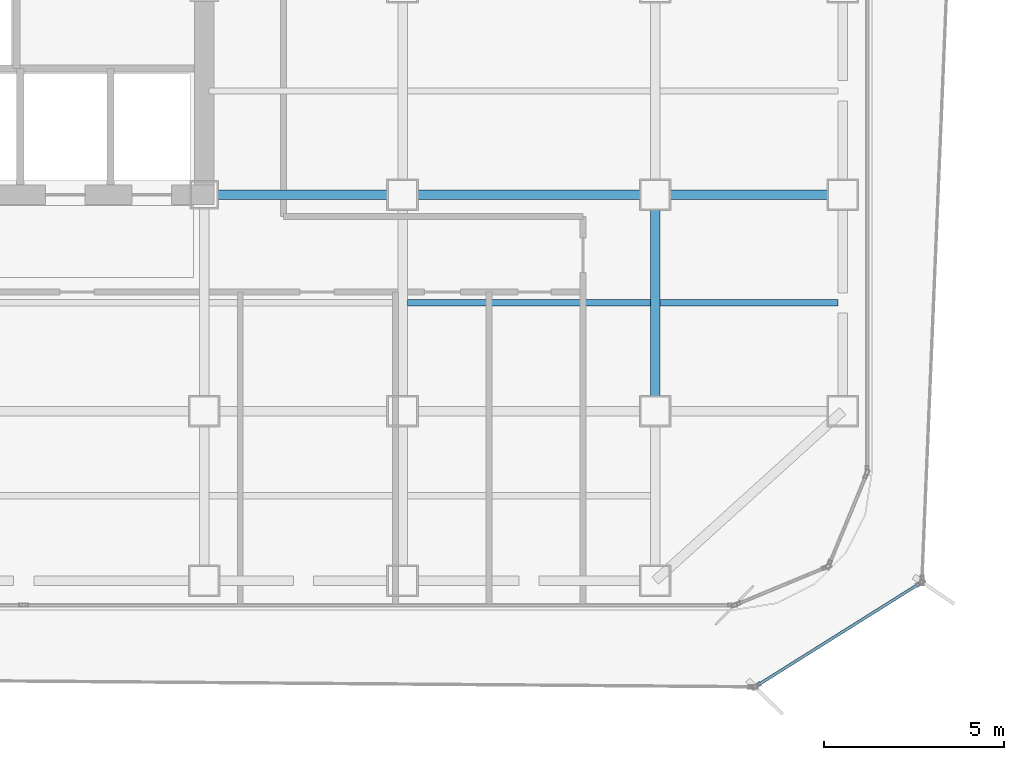
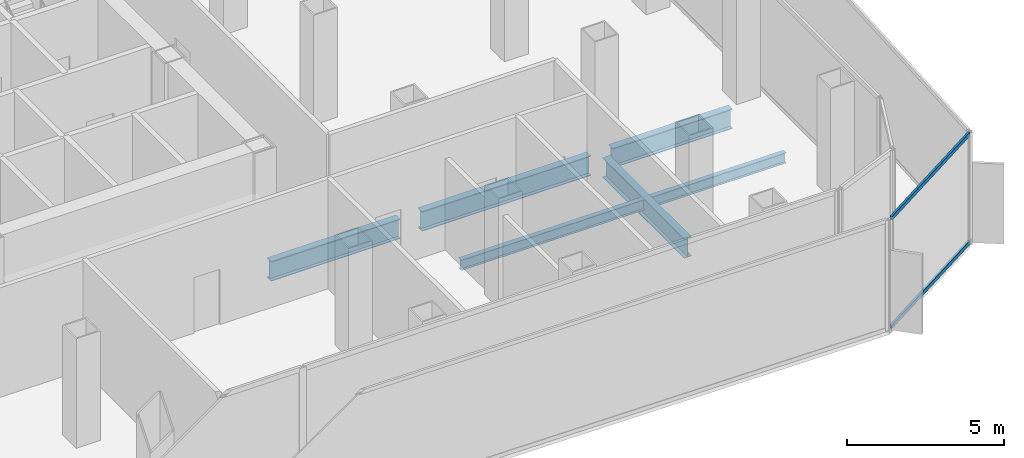
# One storey, part 7 of 21: 6 beams, 2 members, 1 element without a shape of its own.
"""IFC4 building model written with IfcOpenShell, lengths in metres."""

import ifcopenshell
import ifcopenshell.guid

model = None  # the IFC model being written
_history = None  # IfcOwnerHistory: only IFC2X3 demands one
_inside = {}  # id of a spatial element -> (the spatial element, [elements in it])
_under = {}  # id of a project, library or spatial element -> (it, [spatial elements below it])
_declared = {}  # id of a project -> (the project, [libraries it declares])
_typed = {}  # id of a type object -> (the type object, [elements of that type])
_made_of = {}  # id of a material, layer set ... -> (it, [elements and type objects made of it])


def new_model(schema):
    """Start an empty IFC model of exactly this schema.

    Asked for "IFC4X3", IfcOpenShell would pick the latest addendum, in which some entities
    have other attributes; the version numbers below select the first issue.
    IFC2X3 requires an IfcOwnerHistory on every rooted entity: one is made here for all.
    """
    global model, _history
    if schema == "IFC4X3":
        model = ifcopenshell.file(schema_version=(4, 3, 0, 0))
    else:
        model = ifcopenshell.file(schema=schema)
    _inside.clear()
    _under.clear()
    _declared.clear()
    _typed.clear()
    _made_of.clear()
    _history = None
    if model.schema == "IFC2X3":
        org = make("IfcOrganization", Name="unknown")
        user = make(
            "IfcPersonAndOrganization",
            ThePerson=make("IfcPerson", FamilyName="unknown"),
            TheOrganization=org,
        )
        app = make(
            "IfcApplication",
            ApplicationDeveloper=org,
            Version="unknown",
            ApplicationFullName="unknown",
            ApplicationIdentifier="unknown",
        )
        _history = make(
            "IfcOwnerHistory",
            OwningUser=user,
            OwningApplication=app,
            ChangeAction="ADDED",
            CreationDate=0,
        )
    return model


def make(cls, **values):
    """One entity of the class cls with the attributes given. An attribute that is None is left unset."""
    return model.create_entity(
        cls, **{name: value for name, value in values.items() if value is not None}
    )


def rooted(cls, **values):
    """An entity with a GlobalId (a new one), such as an element, a storey or a relation."""
    return make(cls, GlobalId=ifcopenshell.guid.new(), OwnerHistory=_history, **values)


def si_unit(unit_type, name, prefix=None):
    """IfcSIUnit, for example si_unit("LENGTHUNIT", "METRE", prefix="MILLI")."""
    return make("IfcSIUnit", UnitType=unit_type, Prefix=prefix, Name=name)


def assignment(units):
    """IfcUnitAssignment: the units of a project."""
    return None if units is None else make("IfcUnitAssignment", Units=units)


def point(xyz):
    """IfcCartesianPoint."""
    return None if xyz is None else make("IfcCartesianPoint", Coordinates=xyz)


def direction(xyz):
    """IfcDirection."""
    return None if xyz is None else make("IfcDirection", DirectionRatios=xyz)


def frame(location, z_axis=None, x_axis=None):
    """IfcAxis2Placement3D, a coordinate frame: its origin and axes. An axis left out is left unset."""
    return make(
        "IfcAxis2Placement3D",
        Location=point(location),
        Axis=direction(z_axis),
        RefDirection=direction(x_axis),
    )


def frame_2d(location, x_axis=None):
    """IfcAxis2Placement2D, a coordinate frame in the plane: its origin and x axis."""
    return make(
        "IfcAxis2Placement2D", Location=point(location), RefDirection=direction(x_axis)
    )


def origin():
    """The frame at (0, 0, 0) with its axes left unset."""
    return frame((0.0, 0.0, 0.0))


def origin_2d():
    """The frame at (0, 0) in the plane with its x axis left unset."""
    return frame_2d((0.0, 0.0))


def place(relative_to, where):
    """IfcLocalPlacement: puts the frame where relative to a parent placement (None: the world)."""
    return make(
        "IfcLocalPlacement", PlacementRelTo=relative_to, RelativePlacement=where
    )


def context(
    kind, dimensions, precision=None, world=None, true_north=None, identifier=None
):
    """IfcGeometricRepresentationContext, for example the 3D "Model" context."""
    return make(
        "IfcGeometricRepresentationContext",
        ContextIdentifier=identifier,
        ContextType=kind,
        CoordinateSpaceDimension=dimensions,
        Precision=precision,
        WorldCoordinateSystem=world,
        TrueNorth=true_north,
    )


def subcontext(parent, identifier, kind, view, scale=None):
    """IfcGeometricRepresentationSubContext, for example "Body" below "Model"."""
    return make(
        "IfcGeometricRepresentationSubContext",
        ContextIdentifier=identifier,
        ContextType=kind,
        ParentContext=parent,
        TargetScale=scale,
        TargetView=view,
    )


def project(units=None, contexts=None):
    """IfcProject with its units and contexts."""
    return rooted(
        "IfcProject",
        Name="project",
        RepresentationContexts=contexts,
        UnitsInContext=assignment(units),
    )


def spatial(cls, under=None, at=None, **own):
    """A site, building, storey or space (cls), placed at a placement, below another one or the project."""
    s = rooted(cls, ObjectPlacement=at, **own)
    if under is not None:
        _under.setdefault(under.id(), (under, []))[1].append(s)
    return s


def profile(cls, at=None, kind="AREA", **sizes):
    """A parametric profile (cls). Its sizes go by their IFC names, for example OverallWidth=200.0."""
    return make(cls, ProfileType=kind, Position=at, **sizes)


def hollow_rectangle(**sizes):
    """IfcRectangleHollowProfileDef."""
    return profile("IfcRectangleHollowProfileDef", **sizes)


def i_section(**sizes):
    """IfcIShapeProfileDef."""
    return profile("IfcIShapeProfileDef", **sizes)


def extrude(swept, where, along, depth):
    """IfcExtrudedAreaSolid: the profile swept, set in the frame where, extruded along a direction by depth."""
    return make(
        "IfcExtrudedAreaSolid",
        SweptArea=swept,
        Position=where,
        ExtrudedDirection=direction(along),
        Depth=depth,
    )


def shape(context_of_items, identifier, shape_type, items):
    """IfcShapeRepresentation: the items that make up one representation, for example the "Body"."""
    return make(
        "IfcShapeRepresentation",
        ContextOfItems=context_of_items,
        RepresentationIdentifier=identifier,
        RepresentationType=shape_type,
        Items=items,
    )


def source(mapping_origin, context_of_items, identifier, shape_type, items):
    """IfcRepresentationMap: a shape defined once, which mapped items show again and again."""
    return make(
        "IfcRepresentationMap",
        MappingOrigin=mapping_origin,
        MappedRepresentation=shape(context_of_items, identifier, shape_type, items),
    )


def transform(
    local_origin,
    x_axis=None,
    y_axis=None,
    z_axis=None,
    scale=None,
    scale2=None,
    scale3=None,
    uniform=True,
):
    """IfcCartesianTransformationOperator3D, or its non-uniform kind. x_axis, y_axis, z_axis: its Axis1, 2, 3."""
    if uniform:
        return make(
            "IfcCartesianTransformationOperator3D",
            Axis1=direction(x_axis),
            Axis2=direction(y_axis),
            LocalOrigin=point(local_origin),
            Scale=scale,
            Axis3=direction(z_axis),
        )
    return make(
        "IfcCartesianTransformationOperator3DnonUniform",
        Axis1=direction(x_axis),
        Axis2=direction(y_axis),
        LocalOrigin=point(local_origin),
        Scale=scale,
        Axis3=direction(z_axis),
        Scale2=scale2,
        Scale3=scale3,
    )


def mapped(mapping_source, mapping_target):
    """IfcMappedItem: shows the shape of a source again, moved by a transform."""
    return make(
        "IfcMappedItem", MappingSource=mapping_source, MappingTarget=mapping_target
    )


def material(Name=None, Category=None):
    """IfcMaterial."""
    return make("IfcMaterial", Name=Name, Category=Category)


def layer(
    of_material, thickness, ventilated=None, Name=None, Category=None, Priority=None
):
    """IfcMaterialLayer: one layer of a wall or slab, of a material (None: an air gap)."""
    return make(
        "IfcMaterialLayer",
        Material=of_material,
        LayerThickness=thickness,
        IsVentilated=ventilated,
        Name=Name,
        Category=Category,
        Priority=Priority,
    )


def layer_set(layers, Name=None):
    """IfcMaterialLayerSet."""
    return make("IfcMaterialLayerSet", MaterialLayers=layers, LayerSetName=Name)


def material_profile(
    of_material, cross_section, Name=None, Category=None, Priority=None
):
    """IfcMaterialProfile: a cross section and its material."""
    return make(
        "IfcMaterialProfile",
        Name=Name,
        Material=of_material,
        Profile=cross_section,
        Priority=Priority,
        Category=Category,
    )


def profile_set(profiles, Name=None, composite=None):
    """IfcMaterialProfileSet."""
    return make(
        "IfcMaterialProfileSet",
        Name=Name,
        MaterialProfiles=profiles,
        CompositeProfile=composite,
    )


def made_of(thing, what):
    """Note that an element or type object is made of a material, layer set ...; save() writes the relation."""
    if what is not None:
        _made_of.setdefault(what.id(), (what, []))[1].append(thing)
    return thing


def type_object(cls, material=None, **own):
    """A type object (cls), such as IfcWallType, which elements share."""
    return made_of(rooted(cls, **own), material)


def element(
    cls,
    number,
    at=None,
    inside=None,
    cuts=None,
    type_object=None,
    material=None,
    context=None,
    identifier="Body",
    shape_type=None,
    held_by="IfcProductDefinitionShape",
    body=None,
    shapes=None,
    **own,
):
    """One element of the class cls, such as IfcWall. Its Tag is "e" and its number.

    at: its placement. inside: the storey or other place that contains it. cuts: it is an
    opening in that element (IfcRelVoidsElement). A single representation is given by context,
    identifier, shape_type and body (its items); several are given by shapes. held_by: the class
    of the entity that holds the representations. save() writes the other relations.
    """
    e = rooted(cls, Tag="e%d" % number, ObjectPlacement=at, **own)
    if body is not None:
        shapes = [shape(context, identifier, shape_type, body)]
    if shapes is not None:
        e.Representation = make(held_by, Representations=shapes)
    if inside is not None:
        _inside.setdefault(inside.id(), (inside, []))[1].append(e)
    if cuts is not None:
        rooted(
            "IfcRelVoidsElement", RelatingBuildingElement=cuts, RelatedOpeningElement=e
        )
    if type_object is not None:
        _typed.setdefault(type_object.id(), (type_object, []))[1].append(e)
    return made_of(e, material)


def aggregate(whole, parts):
    """IfcRelAggregates: a whole, such as a stair, and the parts it consists of."""
    return rooted("IfcRelAggregates", RelatingObject=whole, RelatedObjects=parts)


def save(model, path):
    """Write the relations noted so far, then the file.

    IfcRelAggregates (storeys below a building ...), IfcRelContainedInSpatialStructure (elements
    in a storey), IfcRelDefinesByType, IfcRelAssociatesMaterial and IfcRelDeclares: one each for
    every whole, place, type object, material and project.
    """
    for whole, parts in _under.values():
        aggregate(whole, parts)
    for where, things in _inside.values():
        rooted(
            "IfcRelContainedInSpatialStructure",
            RelatedElements=things,
            RelatingStructure=where,
        )
    for kind, things in _typed.values():
        rooted("IfcRelDefinesByType", RelatedObjects=things, RelatingType=kind)
    for what, things in _made_of.values():
        rooted("IfcRelAssociatesMaterial", RelatedObjects=things, RelatingMaterial=what)
    for by, libraries in _declared.values():
        rooted("IfcRelDeclares", RelatingContext=by, RelatedDefinitions=libraries)
    model.write(path)


model = new_model("IFC4")

# Units and contexts
model_context = context("Model", 3, precision=1e-05, world=origin(), true_north=direction((0.0, 1.0)))
body_context = subcontext(model_context, "Body", "Model", "MODEL_VIEW")
ifc_project = project(units=[si_unit("LENGTHUNIT", "METRE"), si_unit("AREAUNIT", "SQUARE_METRE"), si_unit("VOLUMEUNIT", "CUBIC_METRE"), si_unit("PLANEANGLEUNIT", "RADIAN"), si_unit("MASSUNIT", "GRAM", prefix="KILO")], contexts=[model_context])

# Site, building, storey
site_placement = place(None, origin())
site = spatial("IfcSite", under=ifc_project, at=site_placement, CompositionType="ELEMENT")
building_placement = place(site_placement, origin())
building = spatial("IfcBuilding", under=site, at=building_placement, Name="Kolveth Station Tower", CompositionType="ELEMENT")
storey_placement = place(building_placement, frame((0.0, 0.0, 88.199951171875)))
storey = spatial("IfcBuildingStorey", under=building, at=storey_placement, Name="L23", CompositionType="ELEMENT", Elevation=88.199951171875)

# Beams
ifc_material_1 = material(Name="Steel S355", Category="steel")
ifc_material_profile_1 = material_profile(ifc_material_1, i_section(OverallWidth=0.26708984375, OverallDepth=0.76611328125, WebThickness=0.014892578125, FlangeThickness=0.023681640625, at=origin_2d()), Name="W760x185")
ifc_profile_set_1 = profile_set([ifc_material_profile_1], Name="Steel S355")
beam_type_1 = type_object("IfcBeamType", Name="Beam_B3", PredefinedType="BEAM", material=ifc_profile_set_1)
shared_shape_1 = source(origin(), body_context, "Body", "SweptSolid", [
    extrude(i_section(OverallWidth=0.26708984375, OverallDepth=0.76611328125, WebThickness=0.014892578125, FlangeThickness=0.023681640625, at=origin_2d()), origin(), (0.0, 0.0, 1.0), 4.400146484375),
])
beam_1_placement = place(storey_placement, frame((41.39990234375, 11.5, -0.742919921875), z_axis=(1.0, 0.0, 0.0), x_axis=(0.0, 1.0, 0.0)))
element("IfcBeam", 1, at=beam_1_placement, inside=storey, type_object=beam_type_1, Name="L23 Primary Girder BM-L23-GY115-7", PredefinedType="BEAM", context=body_context, shape_type="MappedRepresentation", body=[
    mapped(shared_shape_1, transform((0.0, 0.0, 0.0), x_axis=(1.0, 0.0, 0.0), y_axis=(0.0, 1.0, 0.0), z_axis=(0.0, 0.0, 1.0), scale=1.0)),
])
shared_shape_2 = source(origin(), body_context, "Body", "SweptSolid", [
    extrude(i_section(OverallWidth=0.26708984375, OverallDepth=0.76611328125, WebThickness=0.014892578125, FlangeThickness=0.023681640625, at=origin_2d()), origin(), (0.0, 0.0, 1.0), 6.2001953125),
])
beam_2_placement = place(storey_placement, frame((34.39990234375, 11.5, -0.742919921875), z_axis=(1.0, 0.0, 0.0), x_axis=(0.0, 1.0, 0.0)))
element("IfcBeam", 2, at=beam_2_placement, inside=storey, type_object=beam_type_1, Name="L23 Primary Girder BM-L23-GY115-6", PredefinedType="BEAM", context=body_context, shape_type="MappedRepresentation", body=[
    mapped(shared_shape_2, transform((0.0, 0.0, 0.0), x_axis=(1.0, 0.0, 0.0), y_axis=(0.0, 1.0, 0.0), z_axis=(0.0, 0.0, 1.0), scale=1.0)),
])
shared_shape_3 = source(origin(), body_context, "Body", "SweptSolid", [
    extrude(i_section(OverallWidth=0.26708984375, OverallDepth=0.76611328125, WebThickness=0.014892578125, FlangeThickness=0.023681640625, at=origin_2d()), origin(), (0.0, 0.0, 1.0), 4.739990234375),
])
beam_3_placement = place(storey_placement, frame((28.860107421875, 11.5, -0.742919921875), z_axis=(1.0, 0.0, 0.0), x_axis=(0.0, 1.0, 0.0)))
element("IfcBeam", 3, at=beam_3_placement, inside=storey, type_object=beam_type_1, Name="L23 Primary Girder BM-L23-GY115-5", PredefinedType="BEAM", context=body_context, shape_type="MappedRepresentation", body=[
    mapped(shared_shape_3, transform((0.0, 0.0, 0.0), x_axis=(1.0, 0.0, 0.0), y_axis=(0.0, 1.0, 0.0), z_axis=(0.0, 0.0, 1.0), scale=1.0)),
])
shared_shape_4 = source(origin(), body_context, "Body", "SweptSolid", [
    extrude(i_section(OverallWidth=0.26708984375, OverallDepth=0.76611328125, WebThickness=0.014892578125, FlangeThickness=0.023681640625, at=origin_2d()), origin(), (0.0, 0.0, 1.0), 5.2001953125),
])
beam_4_placement = place(storey_placement, frame((41.0, 5.89990234375, -0.742919921875), z_axis=(0.0, 1.0, 0.0), x_axis=(-1.0, 0.0, 0.0)))
element("IfcBeam", 4, at=beam_4_placement, inside=storey, type_object=beam_type_1, Name="L23 Primary Girder BM-L23-GX410-2", PredefinedType="BEAM", context=body_context, shape_type="MappedRepresentation", body=[
    mapped(shared_shape_4, transform((0.0, 0.0, 0.0), x_axis=(1.0, 0.0, 0.0), y_axis=(0.0, 1.0, 0.0), z_axis=(0.0, 0.0, 1.0), scale=1.0)),
])
ifc_material_profile_2 = material_profile(ifc_material_1, i_section(OverallWidth=0.177978515625, OverallDepth=0.406982421875, WebThickness=0.0078125, FlangeThickness=0.0126953125, at=origin_2d()), Name="W410x60")
ifc_profile_set_2 = profile_set([ifc_material_profile_2], Name="Steel S355")
beam_type_2 = type_object("IfcBeamType", Name="Beam_J1", PredefinedType="JOIST", material=ifc_profile_set_2)
shared_shape_5 = source(origin(), body_context, "Body", "SweptSolid", [
    extrude(i_section(OverallWidth=0.177978515625, OverallDepth=0.406982421875, WebThickness=0.0078125, FlangeThickness=0.0126953125, at=origin_2d()), origin(), (0.0, 0.0, 1.0), 4.935791015625),
])
beam_5_placement = place(storey_placement, frame((41.131591796875, 8.5, -0.5634765625), z_axis=(1.0, 0.0, 0.0), x_axis=(0.0, 1.0, 0.0)))
element("IfcBeam", 5, at=beam_5_placement, inside=storey, type_object=beam_type_2, Name="L23 Secondary Joist JST-L23-7-2", PredefinedType="JOIST", context=body_context, shape_type="MappedRepresentation", body=[
    mapped(shared_shape_5, transform((0.0, 0.0, 0.0), x_axis=(1.0, 0.0, 0.0), y_axis=(0.0, 1.0, 0.0), z_axis=(0.0, 0.0, 1.0), scale=1.0)),
])
shared_shape_6 = source(origin(), body_context, "Body", "SweptSolid", [
    extrude(i_section(OverallWidth=0.177978515625, OverallDepth=0.406982421875, WebThickness=0.0078125, FlangeThickness=0.0126953125, at=origin_2d()), origin(), (0.0, 0.0, 1.0), 6.73681640625),
])
beam_6_placement = place(storey_placement, frame((34.131591796875, 8.5, -0.5634765625), z_axis=(1.0, 0.0, 0.0), x_axis=(0.0, 1.0, 0.0)))
element("IfcBeam", 6, at=beam_6_placement, inside=storey, type_object=beam_type_2, Name="L23 Secondary Joist JST-L23-6-2", PredefinedType="JOIST", context=body_context, shape_type="MappedRepresentation", body=[
    mapped(shared_shape_6, transform((0.0, 0.0, 0.0), x_axis=(1.0, 0.0, 0.0), y_axis=(0.0, 1.0, 0.0), z_axis=(0.0, 0.0, 1.0), scale=1.0)),
])

# Curtain wall, members
ifc_material_2 = material(Name="Black anodized aluminium 6063-T6 and dark solar glass", Category="aluminium")
ifc_layer = layer(ifc_material_2, 0.159912109375)
ifc_layer_set = layer_set([ifc_layer], Name="Black anodized aluminium 6063-T6 and dark solar glass")
curtain_wall_type = type_object("IfcCurtainWallType", Name="OUTER SKIN CW-OS", PredefinedType="NOTDEFINED", material=ifc_layer_set)
curtain_wall_placement = place(storey_placement, origin())
curtain_wall = element("IfcCurtainWall", 7, at=curtain_wall_placement, inside=storey, type_object=curtain_wall_type, Name="L23 Outer Ventilated Skin Curtain Wall 1", PredefinedType="NOTDEFINED")
ifc_material_3 = material(Name="Black anodized aluminium 6063-T6", Category="aluminium")
ifc_material_profile_3 = material_profile(ifc_material_3, hollow_rectangle(XDim=0.080078125, YDim=0.14990234375, WallThickness=0.0048828125, at=origin_2d()), Name="ALU-80x150x5")
ifc_profile_set_3 = profile_set([ifc_material_profile_3], Name="Black anodized aluminium 6063-T6")
member_type = type_object("IfcMemberType", Name="Transom_TR-OS", PredefinedType="USERDEFINED", material=ifc_profile_set_3)
shared_shape_7 = source(origin(), body_context, "Body", "SweptSolid", [
    extrude(hollow_rectangle(XDim=0.080078125, YDim=0.14990234375, WallThickness=0.0048828125, at=origin_2d()), origin(), (0.0, 0.0, 1.0), 5.29052734375),
])
member_1_placement = place(storey_placement, frame((43.83935546875, -2.09765625, 0.0400390625), z_axis=(0.847107886547, 0.531420952306, 0.0), x_axis=(-0.531420952306, 0.847107886547, 0.0)))
member_1 = element("IfcMember", 8, at=member_1_placement, type_object=member_type, Name="CW-OS transom 1.1", ObjectType="TRANSOM", PredefinedType="USERDEFINED", context=body_context, shape_type="MappedRepresentation", body=[
    mapped(shared_shape_7, transform((0.0, 0.0, 0.0), x_axis=(1.0, 0.0, 0.0), y_axis=(0.0, 1.0, 0.0), z_axis=(0.0, 0.0, 1.0), scale=1.0)),
])
member_2_placement = place(storey_placement, frame((43.83935546875, -2.09765625, 4.25), z_axis=(0.847107886547, 0.531420952306, 0.0), x_axis=(-0.531420952306, 0.847107886547, 0.0)))
member_2 = element("IfcMember", 9, at=member_2_placement, type_object=member_type, Name="CW-OS transom 1.2", ObjectType="TRANSOM", PredefinedType="USERDEFINED", context=body_context, shape_type="MappedRepresentation", body=[
    mapped(shared_shape_7, transform((0.0, 0.0, 0.0), x_axis=(1.0, 0.0, 0.0), y_axis=(0.0, 1.0, 0.0), z_axis=(0.0, 0.0, 1.0), scale=1.0)),
])
aggregate(curtain_wall, [member_1, member_2])

save(model, "model.ifc")
